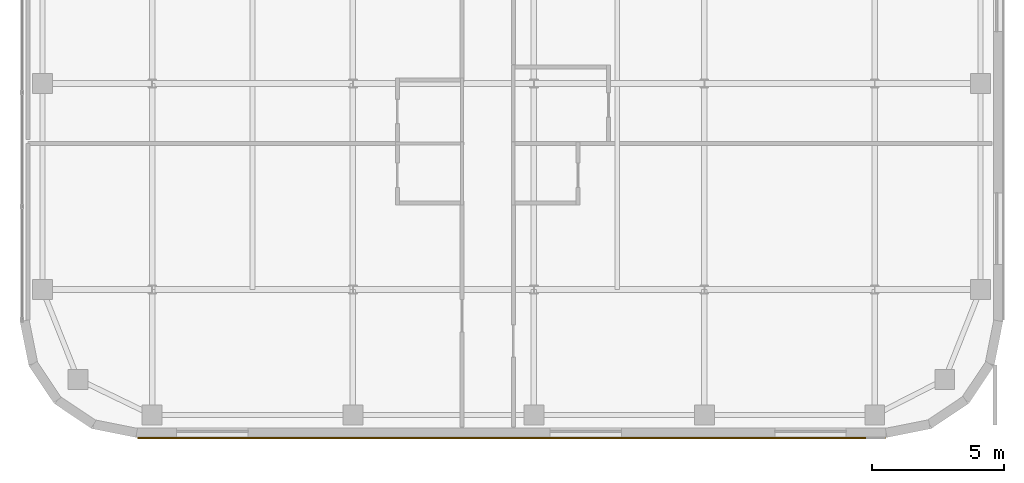
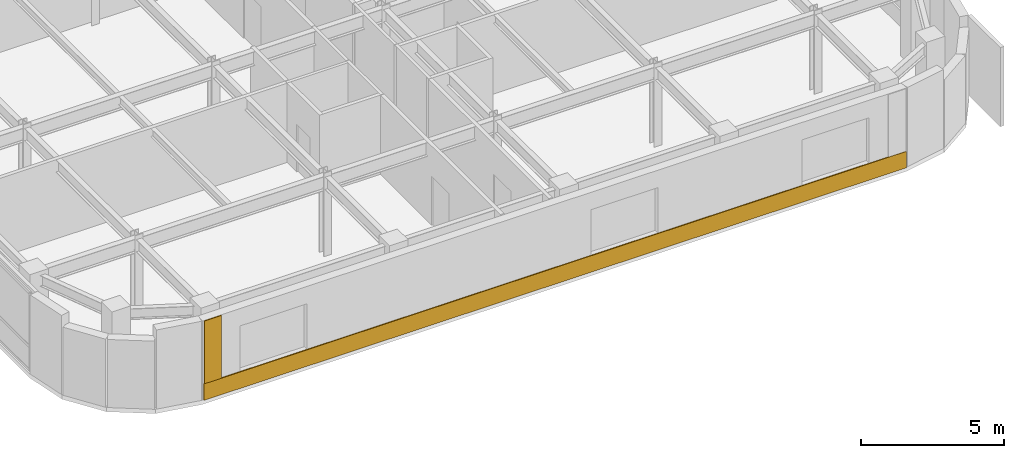
# One storey, part 18 of 21: 2 coverings.
"""IFC4 building model written with IfcOpenShell, lengths in metres."""

from ifc_helpers import new_model, si_unit, direction, frame, origin, place, context, subcontext, project, spatial, polyline, outline, extrude, material, layer, layer_set, type_object, element, save


model = new_model("IFC4")

# Units and contexts
model_context = context("Model", 3, precision=1e-05, world=origin(), true_north=direction((0.0, 1.0)))
body_context = subcontext(model_context, "Body", "Model", "MODEL_VIEW")
ifc_project = project(units=[si_unit("LENGTHUNIT", "METRE"), si_unit("AREAUNIT", "SQUARE_METRE"), si_unit("VOLUMEUNIT", "CUBIC_METRE"), si_unit("PLANEANGLEUNIT", "RADIAN"), si_unit("MASSUNIT", "GRAM", prefix="KILO")], contexts=[model_context])

# Site, building, storey
site_placement = place(None, origin())
site = spatial("IfcSite", under=ifc_project, at=site_placement, CompositionType="ELEMENT")
building_placement = place(site_placement, origin())
building = spatial("IfcBuilding", under=site, at=building_placement, Name="Tolvann Quenvar Hotel", CompositionType="ELEMENT")
storey_placement = place(building_placement, frame((0.0, 0.0, 227.449951171875)))
storey = spatial("IfcBuildingStorey", under=building, at=storey_placement, Name="L60", CompositionType="ELEMENT", Elevation=227.449951171875)

# Coverings
ifc_material_1 = material(Name="Kiln-fired red architectural face brick cladding", Category="masonry")
ifc_layer_1 = layer(ifc_material_1, 0.0400390625)
ifc_layer_set_1 = layer_set([ifc_layer_1], Name="Kiln-fired red architectural face brick cladding")
covering_type_1 = type_object("IfcCoveringType", Name="COV_CLAD_BRICK_40", PredefinedType="CLADDING", material=ifc_layer_set_1)
covering_1_placement = place(storey_placement, frame((0.0, 0.0, 0.699951171875)))
element("IfcCovering", 1, at=covering_1_placement, inside=storey, type_object=covering_type_1, Name="Brick Pier Cladding (L60-E04-P1)", PredefinedType="CLADDING", context=body_context, shape_type="SweptSolid", body=[
    extrude(outline(polyline([(7.067138671875, 2.60009765625), (7.76708984375, 2.60009765625), (7.76708984375, 2.56005859375), (7.067138671875, 2.56005859375), (7.067138671875, 2.60009765625)])), origin(), (0.0, 0.0, 1.0), 2.670166015625),
])
ifc_material_2 = material(Name="Moulded buff architectural terracotta spandrel cladding", Category="masonry")
ifc_layer_2 = layer(ifc_material_2, 0.0400390625)
ifc_layer_set_2 = layer_set([ifc_layer_2], Name="Moulded buff architectural terracotta spandrel cladding")
covering_type_2 = type_object("IfcCoveringType", Name="COV_CLAD_TERRA_40", PredefinedType="CLADDING", material=ifc_layer_set_2)
covering_2_placement = place(storey_placement, origin())
element("IfcCovering", 2, at=covering_2_placement, inside=storey, type_object=covering_type_2, Name="Terracotta Spandrel Cladding (L60-E04)", PredefinedType="CLADDING", context=body_context, shape_type="SweptSolid", body=[
    extrude(outline(polyline([(7.05712890625, 2.60009765625), (35.3427734375, 2.60009765625), (35.3427734375, 2.56005859375), (7.05712890625, 2.56005859375), (7.05712890625, 2.60009765625)])), origin(), (0.0, 0.0, 1.0), 0.699951171875),
])

save(model, "model.ifc")
